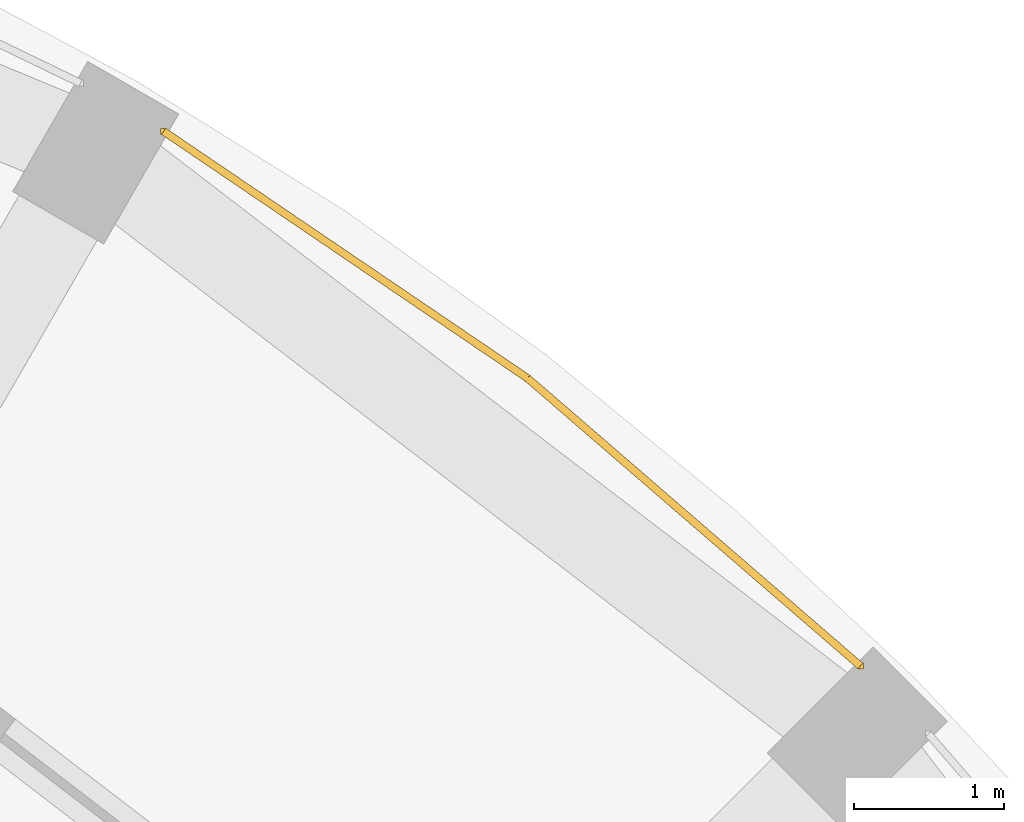
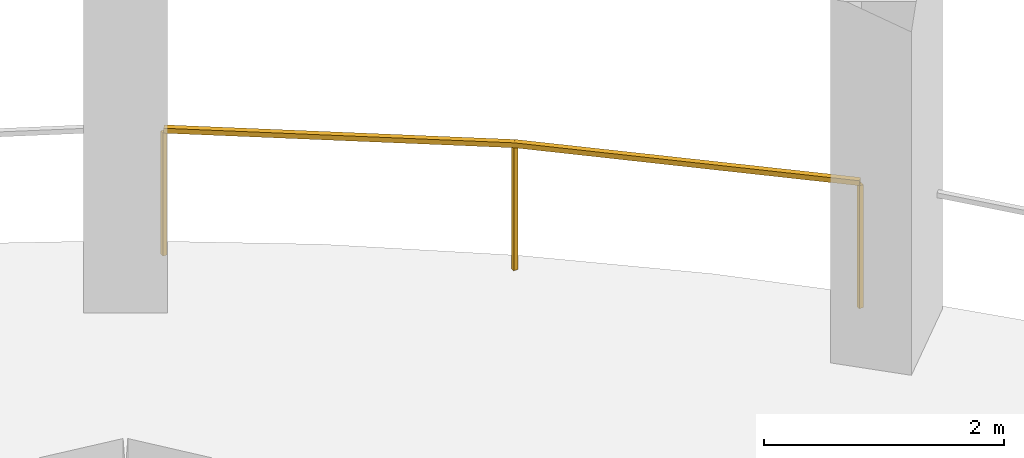
# One storey, part 9 of 9: 1 railing.
"""IFC4 building model written with IfcOpenShell, lengths in metres."""

from ifc_helpers import new_model, si_unit, direction, frame, origin, origin_2d, place, context, subcontext, project, spatial, rectangle, extrude, material, type_object, element, save


model = new_model("IFC4")

# Units and contexts
model_context = context("Model", 3, precision=1e-05, world=origin(), true_north=direction((0.0, 1.0)))
body_context = subcontext(model_context, "Body", "Model", "MODEL_VIEW")
ifc_project = project(units=[si_unit("LENGTHUNIT", "METRE"), si_unit("AREAUNIT", "SQUARE_METRE"), si_unit("VOLUMEUNIT", "CUBIC_METRE"), si_unit("PLANEANGLEUNIT", "RADIAN"), si_unit("MASSUNIT", "GRAM", prefix="KILO")], contexts=[model_context])

# Site, building, storey
site_placement = place(None, origin())
site = spatial("IfcSite", under=ifc_project, at=site_placement, CompositionType="ELEMENT")
building_placement = place(site_placement, origin())
building = spatial("IfcBuilding", under=site, at=building_placement, Name="Torre Triforio", CompositionType="ELEMENT")
storey_placement = place(building_placement, frame((0.0, 0.0, 268.60009765625)))
storey = spatial("IfcBuildingStorey", under=building, at=storey_placement, Name="L62", CompositionType="ELEMENT", Elevation=268.60009765625)

# Railing
ifc_material = material(Name="Stainless steel AISI 316", Category="steel")
railing_type = type_object("IfcRailingType", Name="Loggia guard 1300", PredefinedType="GUARDRAIL", material=ifc_material)
railing_placement = place(storey_placement, frame((17.34521484375, 17.7978515625, 0.0)))
element("IfcRailing", 1, at=railing_placement, inside=storey, type_object=railing_type, Name="Loggia guard L62 bay 04", PredefinedType="GUARDRAIL", context=body_context, shape_type="SweptSolid", body=[
    extrude(rectangle(XDim=0.050048828125, YDim=0.050048828125, at=origin_2d()), frame((0.0, 0.0, 1.27490234375), z_axis=(-0.756510170049, 0.653981928353, 0.0), x_axis=(-0.653981928353, -0.756510170049, 0.0)), (0.0, 0.0, 1.0), 2.93115234375),
    extrude(rectangle(XDim=0.050048828125, YDim=0.050048828125, at=origin_2d()), frame((-2.217529296875, 1.9169921875, 1.27490234375), z_axis=(-0.827499269821, 0.561466791934, 0.0), x_axis=(-0.561466791934, -0.827499269821, 0.0)), (0.0, 0.0, 1.0), 2.93115234375),
    extrude(rectangle(XDim=0.0400390625, YDim=0.0400390625, at=origin_2d()), origin(), (0.0, 0.0, 1.0), 1.25),
    extrude(rectangle(XDim=0.0400390625, YDim=0.0400390625, at=origin_2d()), frame((-2.217529296875, 1.9169921875, 0.0)), (0.0, 0.0, 1.0), 1.25),
    extrude(rectangle(XDim=0.0400390625, YDim=0.0400390625, at=origin_2d()), frame((-4.64306640625, 3.562744140625, 0.0)), (0.0, 0.0, 1.0), 1.25),
])

save(model, "model.ifc")
